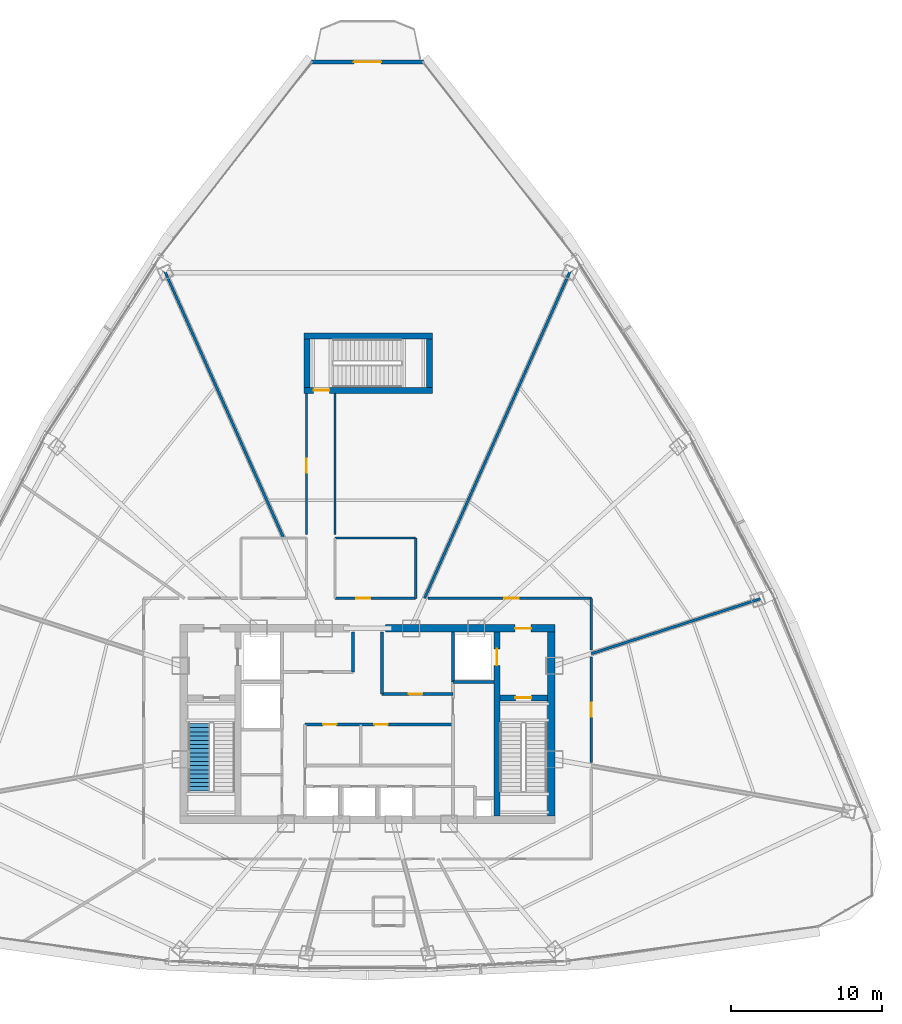
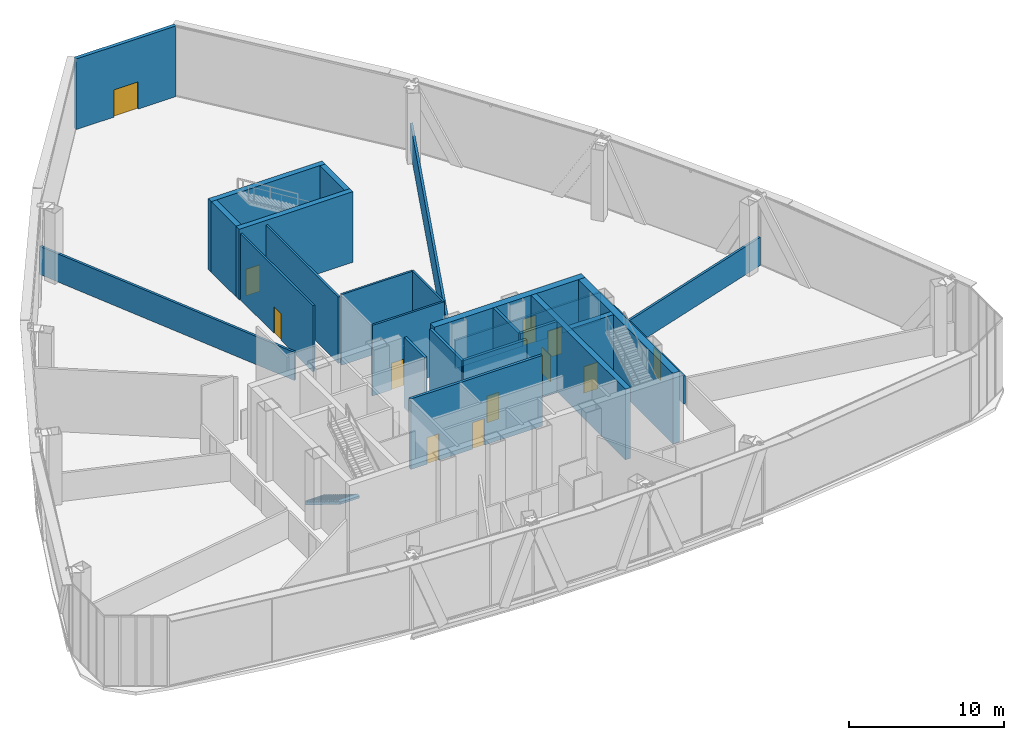
# One storey, part 33 of 38: 26 walls, 12 doors, 1 stair flight, 12 openings, 1 element without a shape of its own.
"""IFC4 building model written with IfcOpenShell, lengths in metres."""

import ifcopenshell
import ifcopenshell.guid

model = None  # the IFC model being written
_history = None  # IfcOwnerHistory: only IFC2X3 demands one
_inside = {}  # id of a spatial element -> (the spatial element, [elements in it])
_under = {}  # id of a project, library or spatial element -> (it, [spatial elements below it])
_declared = {}  # id of a project -> (the project, [libraries it declares])
_typed = {}  # id of a type object -> (the type object, [elements of that type])
_made_of = {}  # id of a material, layer set ... -> (it, [elements and type objects made of it])


def new_model(schema):
    """Start an empty IFC model of exactly this schema.

    Asked for "IFC4X3", IfcOpenShell would pick the latest addendum, in which some entities
    have other attributes; the version numbers below select the first issue.
    IFC2X3 requires an IfcOwnerHistory on every rooted entity: one is made here for all.
    """
    global model, _history
    if schema == "IFC4X3":
        model = ifcopenshell.file(schema_version=(4, 3, 0, 0))
    else:
        model = ifcopenshell.file(schema=schema)
    _inside.clear()
    _under.clear()
    _declared.clear()
    _typed.clear()
    _made_of.clear()
    _history = None
    if model.schema == "IFC2X3":
        org = make("IfcOrganization", Name="unknown")
        user = make(
            "IfcPersonAndOrganization",
            ThePerson=make("IfcPerson", FamilyName="unknown"),
            TheOrganization=org,
        )
        app = make(
            "IfcApplication",
            ApplicationDeveloper=org,
            Version="unknown",
            ApplicationFullName="unknown",
            ApplicationIdentifier="unknown",
        )
        _history = make(
            "IfcOwnerHistory",
            OwningUser=user,
            OwningApplication=app,
            ChangeAction="ADDED",
            CreationDate=0,
        )
    return model


def make(cls, **values):
    """One entity of the class cls with the attributes given. An attribute that is None is left unset."""
    return model.create_entity(
        cls, **{name: value for name, value in values.items() if value is not None}
    )


def rooted(cls, **values):
    """An entity with a GlobalId (a new one), such as an element, a storey or a relation."""
    return make(cls, GlobalId=ifcopenshell.guid.new(), OwnerHistory=_history, **values)


def si_unit(unit_type, name, prefix=None):
    """IfcSIUnit, for example si_unit("LENGTHUNIT", "METRE", prefix="MILLI")."""
    return make("IfcSIUnit", UnitType=unit_type, Prefix=prefix, Name=name)


def assignment(units):
    """IfcUnitAssignment: the units of a project."""
    return None if units is None else make("IfcUnitAssignment", Units=units)


def point(xyz):
    """IfcCartesianPoint."""
    return None if xyz is None else make("IfcCartesianPoint", Coordinates=xyz)


def direction(xyz):
    """IfcDirection."""
    return None if xyz is None else make("IfcDirection", DirectionRatios=xyz)


def frame(location, z_axis=None, x_axis=None):
    """IfcAxis2Placement3D, a coordinate frame: its origin and axes. An axis left out is left unset."""
    return make(
        "IfcAxis2Placement3D",
        Location=point(location),
        Axis=direction(z_axis),
        RefDirection=direction(x_axis),
    )


def frame_2d(location, x_axis=None):
    """IfcAxis2Placement2D, a coordinate frame in the plane: its origin and x axis."""
    return make(
        "IfcAxis2Placement2D", Location=point(location), RefDirection=direction(x_axis)
    )


def origin():
    """The frame at (0, 0, 0) with its axes left unset."""
    return frame((0.0, 0.0, 0.0))


def origin_with_axes():
    """The frame at (0, 0, 0) with the z axis (0, 0, 1) and the x axis (1, 0, 0) written out."""
    return frame((0.0, 0.0, 0.0), z_axis=(0.0, 0.0, 1.0), x_axis=(1.0, 0.0, 0.0))


def place(relative_to, where):
    """IfcLocalPlacement: puts the frame where relative to a parent placement (None: the world)."""
    return make(
        "IfcLocalPlacement", PlacementRelTo=relative_to, RelativePlacement=where
    )


def context(
    kind, dimensions, precision=None, world=None, true_north=None, identifier=None
):
    """IfcGeometricRepresentationContext, for example the 3D "Model" context."""
    return make(
        "IfcGeometricRepresentationContext",
        ContextIdentifier=identifier,
        ContextType=kind,
        CoordinateSpaceDimension=dimensions,
        Precision=precision,
        WorldCoordinateSystem=world,
        TrueNorth=true_north,
    )


def subcontext(parent, identifier, kind, view, scale=None):
    """IfcGeometricRepresentationSubContext, for example "Body" below "Model"."""
    return make(
        "IfcGeometricRepresentationSubContext",
        ContextIdentifier=identifier,
        ContextType=kind,
        ParentContext=parent,
        TargetScale=scale,
        TargetView=view,
    )


def project(units=None, contexts=None):
    """IfcProject with its units and contexts."""
    return rooted(
        "IfcProject",
        Name="project",
        RepresentationContexts=contexts,
        UnitsInContext=assignment(units),
    )


def spatial(cls, under=None, at=None, **own):
    """A site, building, storey or space (cls), placed at a placement, below another one or the project."""
    s = rooted(cls, ObjectPlacement=at, **own)
    if under is not None:
        _under.setdefault(under.id(), (under, []))[1].append(s)
    return s


def polyline(points):
    """IfcPolyline through the points."""
    return make("IfcPolyline", Points=[point(p) for p in points])


def profile(cls, at=None, kind="AREA", **sizes):
    """A parametric profile (cls). Its sizes go by their IFC names, for example OverallWidth=200.0."""
    return make(cls, ProfileType=kind, Position=at, **sizes)


def rectangle(**sizes):
    """IfcRectangleProfileDef."""
    return profile("IfcRectangleProfileDef", **sizes)


def outline(outer, holes=None, kind="AREA"):
    """IfcArbitraryClosedProfileDef: a profile drawn as a closed curve; with holes, ...WithVoids."""
    if holes is None:
        return make("IfcArbitraryClosedProfileDef", ProfileType=kind, OuterCurve=outer)
    return make(
        "IfcArbitraryProfileDefWithVoids",
        ProfileType=kind,
        OuterCurve=outer,
        InnerCurves=holes,
    )


def extrude(swept, where, along, depth):
    """IfcExtrudedAreaSolid: the profile swept, set in the frame where, extruded along a direction by depth."""
    return make(
        "IfcExtrudedAreaSolid",
        SweptArea=swept,
        Position=where,
        ExtrudedDirection=direction(along),
        Depth=depth,
    )


def shape(context_of_items, identifier, shape_type, items):
    """IfcShapeRepresentation: the items that make up one representation, for example the "Body"."""
    return make(
        "IfcShapeRepresentation",
        ContextOfItems=context_of_items,
        RepresentationIdentifier=identifier,
        RepresentationType=shape_type,
        Items=items,
    )


def source(mapping_origin, context_of_items, identifier, shape_type, items):
    """IfcRepresentationMap: a shape defined once, which mapped items show again and again."""
    return make(
        "IfcRepresentationMap",
        MappingOrigin=mapping_origin,
        MappedRepresentation=shape(context_of_items, identifier, shape_type, items),
    )


def transform(
    local_origin,
    x_axis=None,
    y_axis=None,
    z_axis=None,
    scale=None,
    scale2=None,
    scale3=None,
    uniform=True,
):
    """IfcCartesianTransformationOperator3D, or its non-uniform kind. x_axis, y_axis, z_axis: its Axis1, 2, 3."""
    if uniform:
        return make(
            "IfcCartesianTransformationOperator3D",
            Axis1=direction(x_axis),
            Axis2=direction(y_axis),
            LocalOrigin=point(local_origin),
            Scale=scale,
            Axis3=direction(z_axis),
        )
    return make(
        "IfcCartesianTransformationOperator3DnonUniform",
        Axis1=direction(x_axis),
        Axis2=direction(y_axis),
        LocalOrigin=point(local_origin),
        Scale=scale,
        Axis3=direction(z_axis),
        Scale2=scale2,
        Scale3=scale3,
    )


def mapped(mapping_source, mapping_target):
    """IfcMappedItem: shows the shape of a source again, moved by a transform."""
    return make(
        "IfcMappedItem", MappingSource=mapping_source, MappingTarget=mapping_target
    )


def material(Name=None, Category=None):
    """IfcMaterial."""
    return make("IfcMaterial", Name=Name, Category=Category)


def layer(
    of_material, thickness, ventilated=None, Name=None, Category=None, Priority=None
):
    """IfcMaterialLayer: one layer of a wall or slab, of a material (None: an air gap)."""
    return make(
        "IfcMaterialLayer",
        Material=of_material,
        LayerThickness=thickness,
        IsVentilated=ventilated,
        Name=Name,
        Category=Category,
        Priority=Priority,
    )


def layer_set(layers, Name=None):
    """IfcMaterialLayerSet."""
    return make("IfcMaterialLayerSet", MaterialLayers=layers, LayerSetName=Name)


def made_of(thing, what):
    """Note that an element or type object is made of a material, layer set ...; save() writes the relation."""
    if what is not None:
        _made_of.setdefault(what.id(), (what, []))[1].append(thing)
    return thing


def type_object(cls, material=None, **own):
    """A type object (cls), such as IfcWallType, which elements share."""
    return made_of(rooted(cls, **own), material)


def element(
    cls,
    number,
    at=None,
    inside=None,
    cuts=None,
    type_object=None,
    material=None,
    context=None,
    identifier="Body",
    shape_type=None,
    held_by="IfcProductDefinitionShape",
    body=None,
    shapes=None,
    **own,
):
    """One element of the class cls, such as IfcWall. Its Tag is "e" and its number.

    at: its placement. inside: the storey or other place that contains it. cuts: it is an
    opening in that element (IfcRelVoidsElement). A single representation is given by context,
    identifier, shape_type and body (its items); several are given by shapes. held_by: the class
    of the entity that holds the representations. save() writes the other relations.
    """
    e = rooted(cls, Tag="e%d" % number, ObjectPlacement=at, **own)
    if body is not None:
        shapes = [shape(context, identifier, shape_type, body)]
    if shapes is not None:
        e.Representation = make(held_by, Representations=shapes)
    if inside is not None:
        _inside.setdefault(inside.id(), (inside, []))[1].append(e)
    if cuts is not None:
        rooted(
            "IfcRelVoidsElement", RelatingBuildingElement=cuts, RelatedOpeningElement=e
        )
    if type_object is not None:
        _typed.setdefault(type_object.id(), (type_object, []))[1].append(e)
    return made_of(e, material)


def fill(opening, filler):
    """IfcRelFillsElement: the door or window that sits in an opening."""
    return rooted(
        "IfcRelFillsElement",
        RelatingOpeningElement=opening,
        RelatedBuildingElement=filler,
    )


def aggregate(whole, parts):
    """IfcRelAggregates: a whole, such as a stair, and the parts it consists of."""
    return rooted("IfcRelAggregates", RelatingObject=whole, RelatedObjects=parts)


def save(model, path):
    """Write the relations noted so far, then the file.

    IfcRelAggregates (storeys below a building ...), IfcRelContainedInSpatialStructure (elements
    in a storey), IfcRelDefinesByType, IfcRelAssociatesMaterial and IfcRelDeclares: one each for
    every whole, place, type object, material and project.
    """
    for whole, parts in _under.values():
        aggregate(whole, parts)
    for where, things in _inside.values():
        rooted(
            "IfcRelContainedInSpatialStructure",
            RelatedElements=things,
            RelatingStructure=where,
        )
    for kind, things in _typed.values():
        rooted("IfcRelDefinesByType", RelatedObjects=things, RelatingType=kind)
    for what, things in _made_of.values():
        rooted("IfcRelAssociatesMaterial", RelatedObjects=things, RelatingMaterial=what)
    for by, libraries in _declared.values():
        rooted("IfcRelDeclares", RelatingContext=by, RelatedDefinitions=libraries)
    model.write(path)


model = new_model("IFC4")

# Units and contexts
model_context = context("Model", 3, precision=1e-05, world=origin(), true_north=direction((0.0, 1.0)))
body_context = subcontext(model_context, "Body", "Model", "MODEL_VIEW")
ifc_project = project(units=[si_unit("LENGTHUNIT", "METRE"), si_unit("AREAUNIT", "SQUARE_METRE"), si_unit("VOLUMEUNIT", "CUBIC_METRE"), si_unit("PLANEANGLEUNIT", "RADIAN"), si_unit("MASSUNIT", "GRAM", prefix="KILO"), si_unit("THERMODYNAMICTEMPERATUREUNIT", "KELVIN"), si_unit("POWERUNIT", "WATT")], contexts=[model_context])

# Site, building, storey
site_placement = place(None, origin())
site = spatial("IfcSite", under=ifc_project, at=site_placement, CompositionType="ELEMENT")
building_placement = place(site_placement, origin())
building = spatial("IfcBuilding", under=site, at=building_placement, Name="Yunzhuo Pagoda Commons", CompositionType="ELEMENT")
storey_placement = place(building_placement, frame((0.0, 0.0, 266.909912109375)))
storey = spatial("IfcBuildingStorey", under=building, at=storey_placement, Name="L67", CompositionType="ELEMENT", Elevation=266.909912109375)

# Wall, opening, door
ifc_material_1 = material(Name="Precast concrete C40", Category="concrete")
ifc_layer_1 = layer(ifc_material_1, 0.260009765625)
ifc_layer_set_1 = layer_set([ifc_layer_1], Name="Precast concrete C40")
wall_type_1 = type_object("IfcWallType", Name="W-BAL1 Corner Balcony Threshold Wall 260", PredefinedType="STANDARD", material=ifc_layer_set_1)
wall_1_placement = place(storey_placement, frame((51.729248046875, 77.794921875, 0.0), z_axis=(0.0, 0.0, 1.0), x_axis=(-1.0, 0.0, 0.0)))
wall_1 = element("IfcWall", 1, at=wall_1_placement, inside=storey, type_object=wall_type_1, Name="L67 corner balcony wall V3", PredefinedType="STANDARD", context=body_context, shape_type="SweptSolid", body=[
    extrude(rectangle(XDim=7.45849609375, YDim=0.260009765625, at=frame_2d((3.729248046875, 0.0))), origin(), (0.0, 0.0, 1.0), 5.570068359375),
])
opening_1_placement = place(wall_1_placement, frame((2.829345703125, 0.0, 0.0)))
opening_1 = element("IfcOpeningElement", 2, at=opening_1_placement, cuts=wall_1, Name="Opening D-BAL1", PredefinedType="OPENING", context=body_context, shape_type="SweptSolid", body=[
    extrude(rectangle(XDim=1.800048828125, YDim=2.14990234375, at=frame_2d((0.89990234375, 1.074951171875))), frame((0.0, 0.14013671875, 0.0), z_axis=(0.0, -1.0, 0.0), x_axis=(1.0, 0.0, 0.0)), (0.0, 0.0, 1.0), 0.280029296875),
])
ifc_material_2 = material(Name="Anodized aluminium frame and tempered glazed leaf", Category="aluminium")
door_type_1 = type_object("IfcDoorType", Name="D-BAL1 Corner Balcony Sliding Glazed Door 1800x2150", OperationType="DOUBLE_DOOR_SLIDING", PredefinedType="DOOR", material=ifc_material_2)
shared_shape_1 = source(origin(), body_context, "Body", "SweptSolid", [
    extrude(rectangle(XDim=1.800048828125, YDim=2.14990234375, at=frame_2d((0.89990234375, 1.074951171875))), frame((0.0, 0.02490234375, 0.0), z_axis=(0.0, -1.0, 0.0), x_axis=(1.0, 0.0, 0.0)), (0.0, 0.0, 1.0), 0.050048828125),
])
door_1_placement = place(opening_1_placement, origin_with_axes())
door_1 = element("IfcDoor", 3, at=door_1_placement, inside=storey, type_object=door_type_1, Name="L67 corner balcony sliding door V3", OperationType="DOUBLE_DOOR_SLIDING", OverallHeight=2.14990234375, OverallWidth=1.800048828125, PredefinedType="DOOR", context=body_context, shape_type="MappedRepresentation", body=[
    mapped(shared_shape_1, transform((0.0, 0.0, 0.0), scale=1.0)),
])
fill(opening_1, door_1)

ifc_material_3 = material(Name="Concrete C50", Category="concrete")
ifc_layer_2 = layer(ifc_material_3, 0.5)
ifc_layer_set_2 = layer_set([ifc_layer_2], Name="Concrete C50")
wall_type_2 = type_object("IfcWallType", Name="W-C03 Upper Core Shear Wall 500", PredefinedType="SHEAR", material=ifc_layer_set_2)
wall_2_placement = place(storey_placement, frame((49.199951171875, 40.199951171875, 0.0), z_axis=(0.0, 0.0, 1.0), x_axis=(1.0, 0.0, 0.0)))
wall_2 = element("IfcWall", 4, at=wall_2_placement, inside=storey, type_object=wall_type_2, Name="L67 core shear wall NE", PredefinedType="SHEAR", context=body_context, shape_type="SweptSolid", body=[
    extrude(rectangle(XDim=11.25, YDim=0.5, at=frame_2d((5.625, 0.0))), origin(), (0.0, 0.0, 1.0), 5.570068359375),
])
opening_2_placement = place(wall_2_placement, frame((8.60009765625, 0.0, 0.0)))
opening_2 = element("IfcOpeningElement", 5, at=opening_2_placement, cuts=wall_2, Name="Opening D-02", PredefinedType="OPENING", context=body_context, shape_type="SweptSolid", body=[
    extrude(rectangle(XDim=1.050048828125, YDim=2.10009765625, at=frame_2d((0.52490234375, 1.050048828125))), frame((0.0, 0.260009765625, 0.0), z_axis=(0.0, -1.0, 0.0), x_axis=(1.0, 0.0, 0.0)), (0.0, 0.0, 1.0), 0.52001953125),
])
ifc_material_4 = material(Name="Galvanized fire-resisting metal leaf")
door_type_2 = type_object("IfcDoorType", Name="D-02 Firefighting Lobby & Refuge Fire Door 1050x2100", OperationType="NOTDEFINED", PredefinedType="DOOR", material=ifc_material_4)
shared_shape_2 = source(origin(), body_context, "Body", "SweptSolid", [
    extrude(rectangle(XDim=1.050048828125, YDim=2.10009765625, at=frame_2d((0.52490234375, 1.050048828125))), frame((0.0, 0.02490234375, 0.0), z_axis=(0.0, -1.0, 0.0), x_axis=(1.0, 0.0, 0.0)), (0.0, 0.0, 1.0), 0.050048828125),
])
door_2_placement = place(opening_2_placement, frame((1.050048828125, 0.0, 0.0), z_axis=(0.0, 0.0, 1.0), x_axis=(-1.0, 0.0, 0.0)))
door_2 = element("IfcDoor", 6, at=door_2_placement, inside=storey, type_object=door_type_2, Name="L67 Firefighting Lobby 2 fire door", OperationType="SINGLE_SWING_RIGHT", OverallHeight=2.10009765625, OverallWidth=1.050048828125, PredefinedType="DOOR", context=body_context, shape_type="MappedRepresentation", body=[
    mapped(shared_shape_2, transform((0.0, 0.0, 0.0), scale=1.0)),
])
fill(opening_2, door_2)

# Wall
wall_3_placement = place(storey_placement, frame((60.199951171875, 27.75, 0.0), z_axis=(0.0, 0.0, 1.0), x_axis=(0.0, 1.0, 0.0)))
element("IfcWall", 7, at=wall_3_placement, inside=storey, type_object=wall_type_2, Name="L67 core shear wall E", PredefinedType="SHEAR", context=body_context, shape_type="SweptSolid", body=[
    extrude(rectangle(XDim=12.199951171875, YDim=0.5, at=frame_2d((6.10009765625, 0.0))), origin(), (0.0, 0.0, 1.0), 5.570068359375),
])

# Wall, opening, door
ifc_material_5 = material(Name="Gypsum plasterboard on acoustic stud")
ifc_layer_3 = layer(ifc_material_5, 0.14990234375)
ifc_layer_set_3 = layer_set([ifc_layer_3], Name="Gypsum plasterboard on acoustic stud")
wall_type_3 = type_object("IfcWallType", Name="W-COR3 High-Zone Rated Corridor Wall 150", PredefinedType="PARTITIONING", material=ifc_layer_set_3)
wall_4_placement = place(storey_placement, frame((45.85009765625, 42.199951171875, 0.0), z_axis=(0.0, 0.0, 1.0), x_axis=(1.0, 0.0, 0.0)))
wall_4 = element("IfcWall", 8, at=wall_4_placement, inside=storey, type_object=wall_type_3, Name="L67 interior wall IW-L67-TFES", PredefinedType="PARTITIONING", context=body_context, shape_type="SweptSolid", body=[
    extrude(rectangle(XDim=5.349853515625, YDim=0.14990234375, at=frame_2d((2.6748046875, 0.0))), origin(), (0.0, 0.0, 1.0), 5.570068359375),
])
opening_3_placement = place(wall_4_placement, frame((1.39990234375, 0.0, 0.0)))
opening_3 = element("IfcOpeningElement", 9, at=opening_3_placement, cuts=wall_4, Name="Opening D-11", PredefinedType="OPENING", context=body_context, shape_type="SweptSolid", body=[
    extrude(rectangle(XDim=0.93994140625, YDim=2.10009765625, at=frame_2d((0.469970703125, 1.050048828125))), frame((0.0, 0.0849609375, 0.0), z_axis=(0.0, -1.0, 0.0), x_axis=(1.0, 0.0, 0.0)), (0.0, 0.0, 1.0), 0.169921875),
])
door_type_3 = type_object("IfcDoorType", Name="D-11 Accessible Washroom Fire Door 940x2100", OperationType="NOTDEFINED", PredefinedType="DOOR", material=ifc_material_4)
shared_shape_3 = source(origin(), body_context, "Body", "SweptSolid", [
    extrude(rectangle(XDim=0.93994140625, YDim=2.10009765625, at=frame_2d((0.469970703125, 1.050048828125))), frame((0.0, 0.02490234375, 0.0), z_axis=(0.0, -1.0, 0.0), x_axis=(1.0, 0.0, 0.0)), (0.0, 0.0, 1.0), 0.050048828125),
])
door_3_placement = place(opening_3_placement, frame((0.93994140625, 0.0, 0.0), z_axis=(0.0, 0.0, 1.0), x_axis=(-1.0, 0.0, 0.0)))
door_3 = element("IfcDoor", 10, at=door_3_placement, inside=storey, type_object=door_type_3, Name="L67 accessible WC door", OperationType="SINGLE_SWING_RIGHT", OverallHeight=2.10009765625, OverallWidth=0.93994140625, PredefinedType="DOOR", context=body_context, shape_type="MappedRepresentation", body=[
    mapped(shared_shape_3, transform((0.0, 0.0, 0.0), scale=1.0)),
])
fill(opening_3, door_3)

# Walls
wall_5_placement = place(storey_placement, frame((45.85009765625, 46.199951171875, 0.0), z_axis=(0.0, 0.0, 1.0), x_axis=(1.0, 0.0, 0.0)))
element("IfcWall", 11, at=wall_5_placement, inside=storey, type_object=wall_type_3, Name="L67 interior wall IW-L67-TFEN", PredefinedType="PARTITIONING", context=body_context, shape_type="SweptSolid", body=[
    extrude(rectangle(XDim=5.349853515625, YDim=0.14990234375, at=frame_2d((2.6748046875, 0.0))), origin(), (0.0, 0.0, 1.0), 5.570068359375),
])
wall_6_placement = place(storey_placement, frame((51.199951171875, 42.199951171875, 0.0), z_axis=(0.0, 0.0, 1.0), x_axis=(0.0, 1.0, 0.0)))
element("IfcWall", 12, at=wall_6_placement, inside=storey, type_object=wall_type_3, Name="L67 interior wall IW-L67-TFEE", PredefinedType="PARTITIONING", context=body_context, shape_type="SweptSolid", body=[
    extrude(rectangle(XDim=4.0, YDim=0.14990234375, at=frame_2d((2.0, 0.0))), origin(), (0.0, 0.0, 1.0), 5.570068359375),
])

# Wall, opening, door
wall_7_placement = place(storey_placement, frame((43.949951171875, 46.419921875, 0.0), z_axis=(0.0, 0.0, 1.0), x_axis=(0.0, 1.0, 0.0)))
wall_7 = element("IfcWall", 13, at=wall_7_placement, inside=storey, type_object=wall_type_3, Name="L67 interior wall IW-L67-CWL06", PredefinedType="PARTITIONING", context=body_context, shape_type="SweptSolid", body=[
    extrude(rectangle(XDim=9.360107421875, YDim=0.14990234375, at=frame_2d((4.68017578125, 0.0))), origin(), (0.0, 0.0, 1.0), 5.219970703125),
])
opening_4_placement = place(wall_7_placement, frame((4.110107421875, 0.0, 0.0)))
opening_4 = element("IfcOpeningElement", 14, at=opening_4_placement, cuts=wall_7, Name="Opening D-04", PredefinedType="OPENING", context=body_context, shape_type="SweptSolid", body=[
    extrude(rectangle(XDim=0.919921875, YDim=2.10009765625, at=frame_2d((0.4599609375, 1.050048828125))), frame((0.0, 0.0849609375, 0.0), z_axis=(0.0, -1.0, 0.0), x_axis=(1.0, 0.0, 0.0)), (0.0, 0.0, 1.0), 0.169921875),
])
ifc_material_6 = material(Name="Powder-coated aluminium and timber acoustic leaf", Category="wood")
door_type_4 = type_object("IfcDoorType", Name="D-04 Bedroom & Study Interior Door 920x2100", OperationType="NOTDEFINED", PredefinedType="DOOR", material=ifc_material_6)
shared_shape_4 = source(origin(), body_context, "Body", "SweptSolid", [
    extrude(rectangle(XDim=0.919921875, YDim=2.10009765625, at=frame_2d((0.4599609375, 1.050048828125))), frame((0.0, 0.02490234375, 0.0), z_axis=(0.0, -1.0, 0.0), x_axis=(1.0, 0.0, 0.0)), (0.0, 0.0, 1.0), 0.050048828125),
])
door_4_placement = place(opening_4_placement, origin_with_axes())
door_4 = element("IfcDoor", 15, at=door_4_placement, inside=storey, type_object=door_type_4, Name="L67 seminar room 03 door", OperationType="SINGLE_SWING_RIGHT", OverallHeight=2.10009765625, OverallWidth=0.919921875, PredefinedType="DOOR", context=body_context, shape_type="MappedRepresentation", body=[
    mapped(shared_shape_4, transform((0.0, 0.0, 0.0), scale=1.0)),
])
fill(opening_4, door_4)

# Wall
wall_8_placement = place(storey_placement, frame((45.85009765625, 55.780029296875, 0.0), z_axis=(0.0, 0.0, 1.0), x_axis=(0.0, -1.0, 0.0)))
element("IfcWall", 16, at=wall_8_placement, inside=storey, type_object=wall_type_3, Name="L67 interior wall IW-L67-CWL07", PredefinedType="PARTITIONING", context=body_context, shape_type="SweptSolid", body=[
    extrude(rectangle(XDim=9.360107421875, YDim=0.14990234375, at=frame_2d((4.68017578125, 0.0))), origin(), (0.0, 0.0, 1.0), 5.219970703125),
])

# Wall, opening, door
wall_9_placement = place(storey_placement, frame((52.025146484375, 42.199951171875, 0.0), z_axis=(0.0, 0.0, 1.0), x_axis=(1.0, 0.0, 0.0)))
wall_9 = element("IfcWall", 17, at=wall_9_placement, inside=storey, type_object=wall_type_3, Name="L67 interior wall IW-L67-CWL08", PredefinedType="PARTITIONING", context=body_context, shape_type="SweptSolid", body=[
    extrude(rectangle(XDim=10.824951171875, YDim=0.14990234375, at=frame_2d((5.41259765625, 0.0))), origin(), (0.0, 0.0, 1.0), 2.219970703125),
])
opening_5_placement = place(wall_9_placement, frame((5.047119140625, 0.0, 0.0)))
opening_5 = element("IfcOpeningElement", 18, at=opening_5_placement, cuts=wall_9, Name="Opening D-08", PredefinedType="OPENING", context=body_context, shape_type="SweptSolid", body=[
    extrude(rectangle(XDim=0.97998046875, YDim=2.1201171875, at=frame_2d((0.489990234375, 1.06005859375))), frame((0.0, 0.0849609375, 0.0), z_axis=(0.0, -1.0, 0.0), x_axis=(1.0, 0.0, 0.0)), (0.0, 0.0, 1.0), 0.169921875),
])
door_type_5 = type_object("IfcDoorType", Name="D-08 High-Zone Suite Entrance Fire Door 980x2120", OperationType="NOTDEFINED", PredefinedType="DOOR", material=ifc_material_4)
shared_shape_5 = source(origin(), body_context, "Body", "SweptSolid", [
    extrude(rectangle(XDim=0.97998046875, YDim=2.1201171875, at=frame_2d((0.489990234375, 1.06005859375))), frame((0.0, 0.02490234375, 0.0), z_axis=(0.0, -1.0, 0.0), x_axis=(1.0, 0.0, 0.0)), (0.0, 0.0, 1.0), 0.050048828125),
])
door_5_placement = place(opening_5_placement, origin_with_axes())
door_5 = element("IfcDoor", 19, at=door_5_placement, inside=storey, type_object=door_type_5, Name="L67 Shared Resident Kitchen and Pantry door", OperationType="SINGLE_SWING_LEFT", OverallHeight=2.1201171875, OverallWidth=0.97998046875, PredefinedType="DOOR", context=body_context, shape_type="MappedRepresentation", body=[
    mapped(shared_shape_5, transform((0.0, 0.0, 0.0), scale=1.0)),
])
fill(opening_5, door_5)

# Wall
wall_10_placement = place(storey_placement, frame((62.85009765625, 42.199951171875, 0.0), z_axis=(0.0, 0.0, 1.0), x_axis=(0.0, -1.0, 0.0)))
element("IfcWall", 20, at=wall_10_placement, inside=storey, type_object=wall_type_3, Name="L67 interior wall IW-L67-CWL09", PredefinedType="PARTITIONING", context=body_context, shape_type="SweptSolid", body=[
    extrude(rectangle(XDim=3.443603515625, YDim=0.14990234375, at=frame_2d((1.7216796875, 0.0))), origin(), (0.0, 0.0, 1.0), 2.219970703125),
])

# Wall, opening, door
wall_11_placement = place(storey_placement, frame((62.85009765625, 38.305419921875, 0.0), z_axis=(0.0, 0.0, 1.0), x_axis=(0.0, -1.0, 0.0)))
wall_11 = element("IfcWall", 21, at=wall_11_placement, inside=storey, type_object=wall_type_3, Name="L67 interior wall IW-L67-CWL10", PredefinedType="PARTITIONING", context=body_context, shape_type="SweptSolid", body=[
    extrude(rectangle(XDim=7.004150390625, YDim=0.14990234375, at=frame_2d((3.501953125, 0.0))), origin(), (0.0, 0.0, 1.0), 2.219970703125),
])
opening_6_placement = place(wall_11_placement, frame((3.0419921875, 0.0, 0.0)))
opening_6 = element("IfcOpeningElement", 22, at=opening_6_placement, cuts=wall_11, Name="Opening D-04", PredefinedType="OPENING", context=body_context, shape_type="SweptSolid", body=[
    extrude(rectangle(XDim=0.919921875, YDim=2.10009765625, at=frame_2d((0.4599609375, 1.050048828125))), frame((0.0, 0.0849609375, 0.0), z_axis=(0.0, -1.0, 0.0), x_axis=(1.0, 0.0, 0.0)), (0.0, 0.0, 1.0), 0.169921875),
])
door_6_placement = place(opening_6_placement, origin_with_axes())
door_6 = element("IfcDoor", 23, at=door_6_placement, inside=storey, type_object=door_type_4, Name="L67 seminar room 01 door", OperationType="SINGLE_SWING_RIGHT", OverallHeight=2.10009765625, OverallWidth=0.919921875, PredefinedType="DOOR", context=body_context, shape_type="MappedRepresentation", body=[
    mapped(shared_shape_4, transform((0.0, 0.0, 0.0), scale=1.0)),
])
fill(opening_6, door_6)

# Walls
ifc_layer_4 = layer(ifc_material_5, 0.169921875)
ifc_layer_set_4 = layer_set([ifc_layer_4], Name="Gypsum plasterboard on acoustic stud")
wall_type_4 = type_object("IfcWallType", Name="W-PRT4 High-Zone Demising Wall 170", PredefinedType="PARTITIONING", material=ifc_layer_set_4)
wall_12_placement = place(storey_placement, frame((62.85009765625, 38.525146484375, 0.0), z_axis=(0.0, 0.0, 1.0), x_axis=(0.951057436246, 0.309014163043, 0.0)))
element("IfcWall", 24, at=wall_12_placement, inside=storey, type_object=wall_type_4, Name="L67 interior wall IW-L67-RAD01", PredefinedType="PARTITIONING", context=body_context, shape_type="SweptSolid", body=[
    extrude(rectangle(XDim=12.6669921875, YDim=0.169921875, at=frame_2d((6.33349609375, 0.0))), origin(), (0.0, 0.0, 1.0), 2.219970703125),
])
wall_13_placement = place(storey_placement, frame((51.784423828125, 42.199951171875, 0.0), z_axis=(0.0, 0.0, 1.0), x_axis=(0.406737985753, 0.913544859843, 0.0)))
element("IfcWall", 25, at=wall_13_placement, inside=storey, type_object=wall_type_4, Name="L67 interior wall IW-L67-RAD02", PredefinedType="PARTITIONING", context=body_context, shape_type="SweptSolid", body=[
    extrude(rectangle(XDim=24.70703125, YDim=0.169921875, at=frame_2d((12.353515625, 0.0))), origin(), (0.0, 0.0, 1.0), 2.219970703125),
])
wall_14_placement = place(storey_placement, frame((42.4345703125, 46.199951171875, 0.0), z_axis=(0.0, 0.0, 1.0), x_axis=(-0.406734534197, 0.913546396573, 0.0)))
element("IfcWall", 26, at=wall_14_placement, inside=storey, type_object=wall_type_4, Name="L67 interior wall IW-L67-RAD03", PredefinedType="PARTITIONING", context=body_context, shape_type="SweptSolid", body=[
    extrude(rectangle(XDim=20.32861328125, YDim=0.169921875, at=frame_2d((10.164306640625, 0.0))), origin(), (0.0, 0.0, 1.0), 2.219970703125),
])

# Wall, opening, door
ifc_material_7 = material(Name="Concrete C60", Category="concrete")
ifc_layer_5 = layer(ifc_material_7, 0.39990234375)
ifc_layer_set_5 = layer_set([ifc_layer_5], Name="Concrete C60")
wall_type_5 = type_object("IfcWallType", Name="W-S01 Internal Core Shear Web 400", PredefinedType="SHEAR", material=ifc_layer_set_5)
wall_15_placement = place(storey_placement, frame((56.60009765625, 27.75, 0.0), z_axis=(0.0, 0.0, 1.0), x_axis=(0.0, 1.0, 0.0)))
wall_15 = element("IfcWall", 27, at=wall_15_placement, inside=storey, type_object=wall_type_5, Name="L67 core shear wall WEBE", PredefinedType="SHEAR", context=body_context, shape_type="SweptSolid", body=[
    extrude(rectangle(XDim=12.199951171875, YDim=0.39990234375, at=frame_2d((6.10009765625, 0.0))), origin(), (0.0, 0.0, 1.0), 5.570068359375),
])
opening_7_placement = place(wall_15_placement, frame((10.0, 0.0, 0.0)))
opening_7 = element("IfcOpeningElement", 28, at=opening_7_placement, cuts=wall_15, Name="Opening LD-01", PredefinedType="OPENING", context=body_context, shape_type="SweptSolid", body=[
    extrude(rectangle(XDim=1.10009765625, YDim=2.10009765625, at=frame_2d((0.550048828125, 1.050048828125))), frame((0.0, 0.2099609375, 0.0), z_axis=(0.0, -1.0, 0.0), x_axis=(1.0, 0.0, 0.0)), (0.0, 0.0, 1.0), 0.419921875),
])
door_type_6 = type_object("IfcDoorType", Name="LD-01 Firefighting Lift Landing Door 1100x2100", OperationType="DOUBLE_DOOR_SLIDING", PredefinedType="DOOR", material=ifc_material_4)
shared_shape_6 = source(origin(), body_context, "Body", "SweptSolid", [
    extrude(rectangle(XDim=1.10009765625, YDim=2.10009765625, at=frame_2d((0.550048828125, 1.050048828125))), frame((0.0, 0.02490234375, 0.0), z_axis=(0.0, -1.0, 0.0), x_axis=(1.0, 0.0, 0.0)), (0.0, 0.0, 1.0), 0.050048828125),
])
door_7_placement = place(opening_7_placement, origin_with_axes())
door_7 = element("IfcDoor", 29, at=door_7_placement, inside=storey, type_object=door_type_6, Name="L67 Firefighting lift FL-2 landing door", OperationType="DOUBLE_DOOR_SLIDING", OverallHeight=2.10009765625, OverallWidth=1.10009765625, PredefinedType="DOOR", context=body_context, shape_type="MappedRepresentation", body=[
    mapped(shared_shape_6, transform((0.0, 0.0, 0.0), scale=1.0)),
])
fill(opening_7, door_7)

wall_16_placement = place(storey_placement, frame((56.800048828125, 35.60009765625, 0.0), z_axis=(0.0, 0.0, 1.0), x_axis=(1.0, 0.0, 0.0)))
wall_16 = element("IfcWall", 30, at=wall_16_placement, inside=storey, type_object=wall_type_5, Name="L67 core shear wall STE", PredefinedType="SHEAR", context=body_context, shape_type="SweptSolid", body=[
    extrude(rectangle(XDim=3.14990234375, YDim=0.39990234375, at=frame_2d((1.574951171875, 0.0))), origin(), (0.0, 0.0, 1.0), 5.570068359375),
])
opening_8_placement = place(wall_16_placement, frame((1.02001953125, 0.0, 0.0)))
opening_8 = element("IfcOpeningElement", 31, at=opening_8_placement, cuts=wall_16, Name="Opening D-01", PredefinedType="OPENING", context=body_context, shape_type="SweptSolid", body=[
    extrude(rectangle(XDim=1.050048828125, YDim=2.10009765625, at=frame_2d((0.52490234375, 1.050048828125))), frame((0.0, 0.2099609375, 0.0), z_axis=(0.0, -1.0, 0.0), x_axis=(1.0, 0.0, 0.0)), (0.0, 0.0, 1.0), 0.419921875),
])
door_type_7 = type_object("IfcDoorType", Name="D-01 Smokeproof Stair Fire Door 1050x2100", OperationType="NOTDEFINED", PredefinedType="DOOR", material=ifc_material_4)
door_8_placement = place(opening_8_placement, frame((1.050048828125, 0.0, 0.0), z_axis=(0.0, 0.0, 1.0), x_axis=(-1.0, 0.0, 0.0)))
door_8 = element("IfcDoor", 32, at=door_8_placement, inside=storey, type_object=door_type_7, Name="L67 Stair ST2 fire door", OperationType="SINGLE_SWING_RIGHT", OverallHeight=2.10009765625, OverallWidth=1.050048828125, PredefinedType="DOOR", context=body_context, shape_type="MappedRepresentation", body=[
    mapped(shared_shape_2, transform((0.0, 0.0, 0.0), scale=1.0)),
])
fill(opening_8, door_8)

# Wall
wall_17_placement = place(storey_placement, frame((43.800048828125, 59.60009765625, 0.0), z_axis=(0.0, 0.0, 1.0), x_axis=(1.0, 0.0, 0.0)))
element("IfcWall", 33, at=wall_17_placement, inside=storey, type_object=wall_type_5, Name="L67 ST3 structural stair wall N", PredefinedType="SHEAR", context=body_context, shape_type="SweptSolid", body=[
    extrude(rectangle(XDim=8.5, YDim=0.39990234375, at=frame_2d((4.25, 0.0))), origin(), (0.0, 0.0, 1.0), 5.570068359375),
])

# Wall, opening, door
wall_18_placement = place(storey_placement, frame((43.800048828125, 56.0, 0.0), z_axis=(0.0, 0.0, 1.0), x_axis=(1.0, 0.0, 0.0)))
wall_18 = element("IfcWall", 34, at=wall_18_placement, inside=storey, type_object=wall_type_5, Name="L67 ST3 structural stair wall S", PredefinedType="SHEAR", context=body_context, shape_type="SweptSolid", body=[
    extrude(rectangle(XDim=8.5, YDim=0.39990234375, at=frame_2d((4.25, 0.0))), origin(), (0.0, 0.0, 1.0), 5.570068359375),
])
opening_9_placement = place(wall_18_placement, frame((0.6201171875, 0.0, 0.0)))
opening_9 = element("IfcOpeningElement", 35, at=opening_9_placement, cuts=wall_18, Name="Opening D-01", PredefinedType="OPENING", context=body_context, shape_type="SweptSolid", body=[
    extrude(rectangle(XDim=1.050048828125, YDim=2.10009765625, at=frame_2d((0.52490234375, 1.050048828125))), frame((0.0, 0.2099609375, 0.0), z_axis=(0.0, -1.0, 0.0), x_axis=(1.0, 0.0, 0.0)), (0.0, 0.0, 1.0), 0.419921875),
])
door_9_placement = place(opening_9_placement, frame((1.050048828125, 0.0, 0.0), z_axis=(0.0, 0.0, 1.0), x_axis=(-1.0, 0.0, 0.0)))
door_9 = element("IfcDoor", 36, at=door_9_placement, inside=storey, type_object=door_type_7, Name="L67 Stair ST3 fire door", OperationType="SINGLE_SWING_LEFT", OverallHeight=2.10009765625, OverallWidth=1.050048828125, PredefinedType="DOOR", context=body_context, shape_type="MappedRepresentation", body=[
    mapped(shared_shape_2, transform((0.0, 0.0, 0.0), scale=1.0)),
])
fill(opening_9, door_9)

# Walls
for number, where, z_axis, x_axis, name in (
    (37, (44.0, 56.199951171875, 0.0), (0.0, 0.0, 1.0), (0.0, 1.0, 0.0), "L67 ST3 structural stair wall W"),
    (38, (52.10009765625, 56.199951171875, 0.0), (0.0, 0.0, 1.0), (0.0, 1.0, 0.0), "L67 ST3 structural stair wall E"),
):
    element("IfcWall", number, at=place(storey_placement, frame(where, z_axis=z_axis, x_axis=x_axis)), inside=storey, type_object=wall_type_5, Name=name, PredefinedType="SHEAR", context=body_context, shape_type="SweptSolid", body=[
        extrude(rectangle(XDim=3.199951171875, YDim=0.39990234375, at=frame_2d((1.60009765625, 0.0))), origin(), (0.0, 0.0, 1.0), 5.570068359375),
    ])
ifc_material_8 = material(Name="Concrete C40", Category="concrete")
ifc_layer_6 = layer(ifc_material_8, 0.199951171875)
ifc_layer_set_6 = layer_set([ifc_layer_6], Name="Concrete C40")
wall_type_6 = type_object("IfcWallType", Name="W-SHF Shaft & Stair Enclosure Wall 200", PredefinedType="SOLIDWALL", material=ifc_layer_set_6)
wall_19_placement = place(storey_placement, frame((53.679931640625, 36.64990234375, 0.0), z_axis=(0.0, 0.0, 1.0), x_axis=(0.0, 1.0, 0.0)))
element("IfcWall", 39, at=wall_19_placement, inside=storey, type_object=wall_type_6, Name="L67 interior wall IW-L67-FL2W", PredefinedType="SOLIDWALL", context=body_context, shape_type="SweptSolid", body=[
    extrude(rectangle(XDim=3.300048828125, YDim=0.199951171875, at=frame_2d((1.64990234375, 0.0))), origin(), (0.0, 0.0, 1.0), 5.570068359375),
])
wall_20_placement = place(storey_placement, frame((53.679931640625, 36.64990234375, 0.0), z_axis=(0.0, 0.0, 1.0), x_axis=(1.0, 0.0, 0.0)))
element("IfcWall", 40, at=wall_20_placement, inside=storey, type_object=wall_type_6, Name="L67 interior wall IW-L67-FL2S", PredefinedType="SOLIDWALL", context=body_context, shape_type="SweptSolid", body=[
    extrude(rectangle(XDim=2.719970703125, YDim=0.199951171875, at=frame_2d((1.35986328125, 0.0))), origin(), (0.0, 0.0, 1.0), 5.570068359375),
])

# Wall, opening, door
wall_21_placement = place(storey_placement, frame((48.949951171875, 35.85009765625, 0.0), z_axis=(0.0, 0.0, 1.0), x_axis=(1.0, 0.0, 0.0)))
wall_21 = element("IfcWall", 41, at=wall_21_placement, inside=storey, type_object=wall_type_6, Name="L67 interior wall IW-L67-LBNE", PredefinedType="SOLIDWALL", context=body_context, shape_type="SweptSolid", body=[
    extrude(rectangle(XDim=4.72998046875, YDim=0.199951171875, at=frame_2d((2.364990234375, 0.0))), origin(), (0.0, 0.0, 1.0), 5.570068359375),
])
opening_10_placement = place(wall_21_placement, frame((1.800048828125, 0.0, 0.0)))
opening_10 = element("IfcOpeningElement", 42, at=opening_10_placement, cuts=wall_21, Name="Opening D-03", PredefinedType="OPENING", context=body_context, shape_type="SweptSolid", body=[
    extrude(rectangle(XDim=0.89990234375, YDim=2.10009765625, at=frame_2d((0.449951171875, 1.050048828125))), frame((0.0, 0.10986328125, 0.0), z_axis=(0.0, -1.0, 0.0), x_axis=(1.0, 0.0, 0.0)), (0.0, 0.0, 1.0), 0.219970703125),
])
door_type_8 = type_object("IfcDoorType", Name="D-03 Core Service Fire Door 900x2100", OperationType="NOTDEFINED", PredefinedType="DOOR", material=ifc_material_4)
shared_shape_7 = source(origin(), body_context, "Body", "SweptSolid", [
    extrude(rectangle(XDim=0.89990234375, YDim=2.10009765625, at=frame_2d((0.449951171875, 1.050048828125))), frame((0.0, 0.02490234375, 0.0), z_axis=(0.0, -1.0, 0.0), x_axis=(1.0, 0.0, 0.0)), (0.0, 0.0, 1.0), 0.050048828125),
])
door_10_placement = place(opening_10_placement, frame((0.89990234375, 0.0, 0.0), z_axis=(0.0, 0.0, 1.0), x_axis=(-1.0, 0.0, 0.0)))
door_10 = element("IfcDoor", 43, at=door_10_placement, inside=storey, type_object=door_type_8, Name="L67 core east store door", OperationType="SINGLE_SWING_RIGHT", OverallHeight=2.10009765625, OverallWidth=0.89990234375, PredefinedType="DOOR", context=body_context, shape_type="MappedRepresentation", body=[
    mapped(shared_shape_7, transform((0.0, 0.0, 0.0), scale=1.0)),
])
fill(opening_10, door_10)

# Walls
wall_22_placement = place(storey_placement, frame((47.050048828125, 37.320068359375, 0.0), z_axis=(0.0, 0.0, 1.0), x_axis=(0.0, 1.0, 0.0)))
element("IfcWall", 44, at=wall_22_placement, inside=storey, type_object=wall_type_6, Name="L67 interior wall IW-L67-THRW", PredefinedType="SOLIDWALL", context=body_context, shape_type="SweptSolid", body=[
    extrude(rectangle(XDim=2.6298828125, YDim=0.199951171875, at=frame_2d((1.31494140625, 0.0))), origin(), (0.0, 0.0, 1.0), 5.570068359375),
])
wall_23_placement = place(storey_placement, frame((48.949951171875, 35.85009765625, 0.0), z_axis=(0.0, 0.0, 1.0), x_axis=(0.0, 1.0, 0.0)))
element("IfcWall", 45, at=wall_23_placement, inside=storey, type_object=wall_type_6, Name="L67 interior wall IW-L67-THRE", PredefinedType="SOLIDWALL", context=body_context, shape_type="SweptSolid", body=[
    extrude(rectangle(XDim=4.099853515625, YDim=0.199951171875, at=frame_2d((2.0498046875, 0.0))), origin(), (0.0, 0.0, 1.0), 5.570068359375),
])

# Wall, openings, doors
wall_24_placement = place(storey_placement, frame((43.85009765625, 33.820068359375, 0.0), z_axis=(0.0, 0.0, 1.0), x_axis=(1.0, 0.0, 0.0)))
wall_24 = element("IfcWall", 46, at=wall_24_placement, inside=storey, type_object=wall_type_6, Name="L67 interior wall IW-L67-MLBS", PredefinedType="SOLIDWALL", context=body_context, shape_type="SweptSolid", body=[
    extrude(rectangle(XDim=9.829833984375, YDim=0.199951171875, at=frame_2d((4.9150390625, 0.0))), origin(), (0.0, 0.0, 1.0), 5.570068359375),
])
opening_11_placement = place(wall_24_placement, frame((1.199951171875, 0.0, 0.0)))
opening_11 = element("IfcOpeningElement", 47, at=opening_11_placement, cuts=wall_24, Name="Opening D-03", PredefinedType="OPENING", context=body_context, shape_type="SweptSolid", body=[
    extrude(rectangle(XDim=0.89990234375, YDim=2.10009765625, at=frame_2d((0.449951171875, 1.050048828125))), frame((0.0, 0.10986328125, 0.0), z_axis=(0.0, -1.0, 0.0), x_axis=(1.0, 0.0, 0.0)), (0.0, 0.0, 1.0), 0.219970703125),
])
opening_12_placement = place(wall_24_placement, frame((4.60009765625, 0.0, 0.0)))
opening_12 = element("IfcOpeningElement", 48, at=opening_12_placement, cuts=wall_24, Name="Opening D-03", PredefinedType="OPENING", context=body_context, shape_type="SweptSolid", body=[
    extrude(rectangle(XDim=0.89990234375, YDim=2.10009765625, at=frame_2d((0.449951171875, 1.050048828125))), frame((0.0, 0.10986328125, 0.0), z_axis=(0.0, -1.0, 0.0), x_axis=(1.0, 0.0, 0.0)), (0.0, 0.0, 1.0), 0.219970703125),
])
door_11_placement = place(opening_11_placement, origin_with_axes())
door_11 = element("IfcDoor", 49, at=door_11_placement, inside=storey, type_object=door_type_8, Name="L67 core mid-west store door", OperationType="SINGLE_SWING_LEFT", OverallHeight=2.10009765625, OverallWidth=0.89990234375, PredefinedType="DOOR", context=body_context, shape_type="MappedRepresentation", body=[
    mapped(shared_shape_7, transform((0.0, 0.0, 0.0), scale=1.0)),
])
fill(opening_11, door_11)
door_12_placement = place(opening_12_placement, origin_with_axes())
door_12 = element("IfcDoor", 50, at=door_12_placement, inside=storey, type_object=door_type_8, Name="L67 core mid-east store door", OperationType="SINGLE_SWING_RIGHT", OverallHeight=2.10009765625, OverallWidth=0.89990234375, PredefinedType="DOOR", context=body_context, shape_type="MappedRepresentation", body=[
    mapped(shared_shape_7, transform((0.0, 0.0, 0.0), scale=1.0)),
])
fill(opening_12, door_12)

# Stair, stair flight
stair_type = type_object("IfcStairType", Name="ST-C1 Core Smokeproof Stair ST1", PredefinedType="HALF_TURN_STAIR", material=ifc_material_8)
stair_placement = place(storey_placement, origin())
stair = element("IfcStair", 51, at=stair_placement, inside=storey, type_object=stair_type, Name="L67 Core smokeproof stair ST1", PredefinedType="HALF_TURN_STAIR")
stair_flight_type = type_object("IfcStairFlightType", Name="STF-C1 Core Stair Flight 1450", PredefinedType="STRAIGHT", material=ifc_material_8)
shared_shape_8 = source(origin(), body_context, "Body", "SweptSolid", [
    extrude(outline(polyline([(0.0, -0.14990234375), (0.0, 0.0), (0.0, 0.172119140625), (0.280029296875, 0.172119140625), (0.280029296875, 0.34423828125), (0.56005859375, 0.34423828125), (0.56005859375, 0.51611328125), (0.840087890625, 0.51611328125), (0.840087890625, 0.688232421875), (1.1201171875, 0.688232421875), (1.1201171875, 0.8603515625), (1.39990234375, 0.8603515625), (1.39990234375, 1.032470703125), (1.679931640625, 1.032470703125), (1.679931640625, 1.204345703125), (1.9599609375, 1.204345703125), (1.9599609375, 1.37646484375), (2.239990234375, 1.37646484375), (2.239990234375, 1.548583984375), (2.52001953125, 1.548583984375), (2.52001953125, 1.720703125), (2.800048828125, 1.720703125), (2.800048828125, 1.892578125), (3.080078125, 1.892578125), (3.080078125, 2.064697265625), (3.360107421875, 2.064697265625), (3.360107421875, 2.23681640625), (3.639892578125, 2.23681640625), (3.639892578125, 2.408935546875), (3.919921875, 2.408935546875), (3.919921875, 2.580810546875), (4.199951171875, 2.580810546875), (4.199951171875, 2.7529296875), (4.47998046875, 2.7529296875), (4.47998046875, 2.925048828125), (4.47998046875, 2.576904296875), (0.286376953125, 0.0), (0.050048828125, -0.14990234375), (0.0, -0.14990234375)])), frame((0.0, 0.72509765625, 0.0), z_axis=(0.0, -1.0, 0.0), x_axis=(1.0, 0.0, 0.0)), (0.0, 0.0, 1.0), 1.449951171875),
])
stair_flight_placement = place(storey_placement, frame((36.824951171875, 33.89990234375, 0.0), z_axis=(0.0, 0.0, 1.0), x_axis=(0.0, -1.0, 0.0)))
stair_flight = element("IfcStairFlight", 52, at=stair_flight_placement, type_object=stair_flight_type, Name="ST1 flight 1", NumberOfRisers=17, NumberOfTreads=16, PredefinedType="STRAIGHT", RiserHeight=0.172058824, TreadLength=0.28, context=body_context, shape_type="MappedRepresentation", body=[
    mapped(shared_shape_8, transform((0.0, 0.0, 0.0), scale=1.0)),
])
aggregate(stair, [stair_flight])

save(model, "model.ifc")
